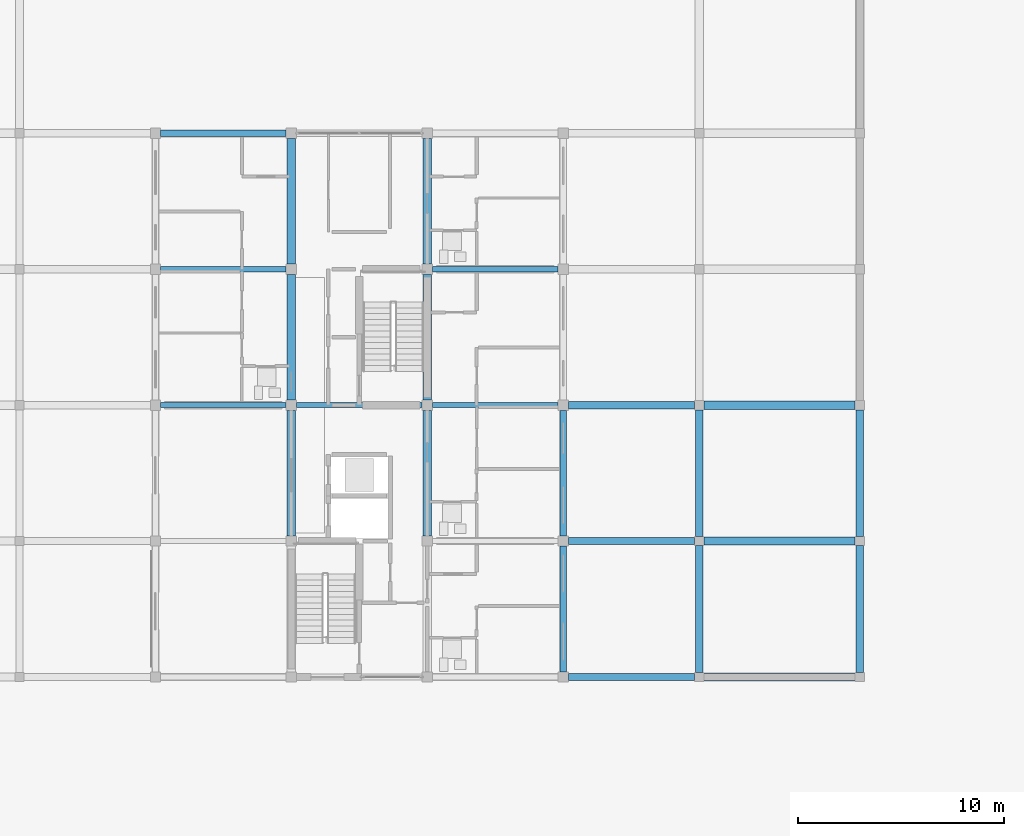
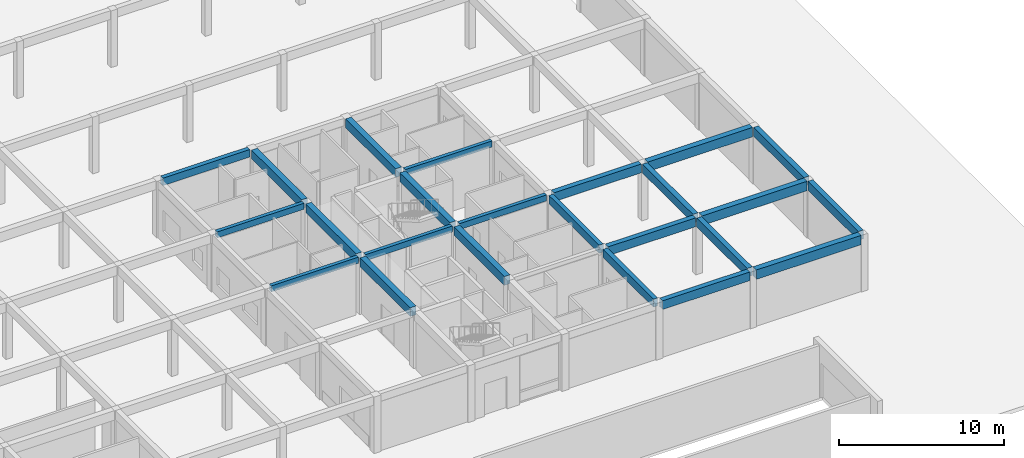
# One storey, part 39 of 75: 24 beams.
"""IFC4 building model written with IfcOpenShell, lengths in metres."""

import ifcopenshell
import ifcopenshell.guid

model = None  # the IFC model being written
_history = None  # IfcOwnerHistory: only IFC2X3 demands one
_inside = {}  # id of a spatial element -> (the spatial element, [elements in it])
_under = {}  # id of a project, library or spatial element -> (it, [spatial elements below it])
_declared = {}  # id of a project -> (the project, [libraries it declares])
_typed = {}  # id of a type object -> (the type object, [elements of that type])
_made_of = {}  # id of a material, layer set ... -> (it, [elements and type objects made of it])


def new_model(schema):
    """Start an empty IFC model of exactly this schema.

    Asked for "IFC4X3", IfcOpenShell would pick the latest addendum, in which some entities
    have other attributes; the version numbers below select the first issue.
    IFC2X3 requires an IfcOwnerHistory on every rooted entity: one is made here for all.
    """
    global model, _history
    if schema == "IFC4X3":
        model = ifcopenshell.file(schema_version=(4, 3, 0, 0))
    else:
        model = ifcopenshell.file(schema=schema)
    _inside.clear()
    _under.clear()
    _declared.clear()
    _typed.clear()
    _made_of.clear()
    _history = None
    if model.schema == "IFC2X3":
        org = make("IfcOrganization", Name="unknown")
        user = make(
            "IfcPersonAndOrganization",
            ThePerson=make("IfcPerson", FamilyName="unknown"),
            TheOrganization=org,
        )
        app = make(
            "IfcApplication",
            ApplicationDeveloper=org,
            Version="unknown",
            ApplicationFullName="unknown",
            ApplicationIdentifier="unknown",
        )
        _history = make(
            "IfcOwnerHistory",
            OwningUser=user,
            OwningApplication=app,
            ChangeAction="ADDED",
            CreationDate=0,
        )
    return model


def make(cls, **values):
    """One entity of the class cls with the attributes given. An attribute that is None is left unset."""
    return model.create_entity(
        cls, **{name: value for name, value in values.items() if value is not None}
    )


def rooted(cls, **values):
    """An entity with a GlobalId (a new one), such as an element, a storey or a relation."""
    return make(cls, GlobalId=ifcopenshell.guid.new(), OwnerHistory=_history, **values)


def si_unit(unit_type, name, prefix=None):
    """IfcSIUnit, for example si_unit("LENGTHUNIT", "METRE", prefix="MILLI")."""
    return make("IfcSIUnit", UnitType=unit_type, Prefix=prefix, Name=name)


def assignment(units):
    """IfcUnitAssignment: the units of a project."""
    return None if units is None else make("IfcUnitAssignment", Units=units)


def point(xyz):
    """IfcCartesianPoint."""
    return None if xyz is None else make("IfcCartesianPoint", Coordinates=xyz)


def direction(xyz):
    """IfcDirection."""
    return None if xyz is None else make("IfcDirection", DirectionRatios=xyz)


def frame(location, z_axis=None, x_axis=None):
    """IfcAxis2Placement3D, a coordinate frame: its origin and axes. An axis left out is left unset."""
    return make(
        "IfcAxis2Placement3D",
        Location=point(location),
        Axis=direction(z_axis),
        RefDirection=direction(x_axis),
    )


def frame_2d(location, x_axis=None):
    """IfcAxis2Placement2D, a coordinate frame in the plane: its origin and x axis."""
    return make(
        "IfcAxis2Placement2D", Location=point(location), RefDirection=direction(x_axis)
    )


def origin():
    """The frame at (0, 0, 0) with its axes left unset."""
    return frame((0.0, 0.0, 0.0))


def origin_2d():
    """The frame at (0, 0) in the plane with its x axis left unset."""
    return frame_2d((0.0, 0.0))


def place(relative_to, where):
    """IfcLocalPlacement: puts the frame where relative to a parent placement (None: the world)."""
    return make(
        "IfcLocalPlacement", PlacementRelTo=relative_to, RelativePlacement=where
    )


def context(
    kind, dimensions, precision=None, world=None, true_north=None, identifier=None
):
    """IfcGeometricRepresentationContext, for example the 3D "Model" context."""
    return make(
        "IfcGeometricRepresentationContext",
        ContextIdentifier=identifier,
        ContextType=kind,
        CoordinateSpaceDimension=dimensions,
        Precision=precision,
        WorldCoordinateSystem=world,
        TrueNorth=true_north,
    )


def subcontext(parent, identifier, kind, view, scale=None):
    """IfcGeometricRepresentationSubContext, for example "Body" below "Model"."""
    return make(
        "IfcGeometricRepresentationSubContext",
        ContextIdentifier=identifier,
        ContextType=kind,
        ParentContext=parent,
        TargetScale=scale,
        TargetView=view,
    )


def project(units=None, contexts=None):
    """IfcProject with its units and contexts."""
    return rooted(
        "IfcProject",
        Name="project",
        RepresentationContexts=contexts,
        UnitsInContext=assignment(units),
    )


def spatial(cls, under=None, at=None, **own):
    """A site, building, storey or space (cls), placed at a placement, below another one or the project."""
    s = rooted(cls, ObjectPlacement=at, **own)
    if under is not None:
        _under.setdefault(under.id(), (under, []))[1].append(s)
    return s


def profile(cls, at=None, kind="AREA", **sizes):
    """A parametric profile (cls). Its sizes go by their IFC names, for example OverallWidth=200.0."""
    return make(cls, ProfileType=kind, Position=at, **sizes)


def rectangle(**sizes):
    """IfcRectangleProfileDef."""
    return profile("IfcRectangleProfileDef", **sizes)


def extrude(swept, where, along, depth):
    """IfcExtrudedAreaSolid: the profile swept, set in the frame where, extruded along a direction by depth."""
    return make(
        "IfcExtrudedAreaSolid",
        SweptArea=swept,
        Position=where,
        ExtrudedDirection=direction(along),
        Depth=depth,
    )


def shape(context_of_items, identifier, shape_type, items):
    """IfcShapeRepresentation: the items that make up one representation, for example the "Body"."""
    return make(
        "IfcShapeRepresentation",
        ContextOfItems=context_of_items,
        RepresentationIdentifier=identifier,
        RepresentationType=shape_type,
        Items=items,
    )


def material(Name=None, Category=None):
    """IfcMaterial."""
    return make("IfcMaterial", Name=Name, Category=Category)


def material_profile(
    of_material, cross_section, Name=None, Category=None, Priority=None
):
    """IfcMaterialProfile: a cross section and its material."""
    return make(
        "IfcMaterialProfile",
        Name=Name,
        Material=of_material,
        Profile=cross_section,
        Priority=Priority,
        Category=Category,
    )


def profile_set(profiles, Name=None, composite=None):
    """IfcMaterialProfileSet."""
    return make(
        "IfcMaterialProfileSet",
        Name=Name,
        MaterialProfiles=profiles,
        CompositeProfile=composite,
    )


def made_of(thing, what):
    """Note that an element or type object is made of a material, layer set ...; save() writes the relation."""
    if what is not None:
        _made_of.setdefault(what.id(), (what, []))[1].append(thing)
    return thing


def type_object(cls, material=None, **own):
    """A type object (cls), such as IfcWallType, which elements share."""
    return made_of(rooted(cls, **own), material)


def element(
    cls,
    number,
    at=None,
    inside=None,
    cuts=None,
    type_object=None,
    material=None,
    context=None,
    identifier="Body",
    shape_type=None,
    held_by="IfcProductDefinitionShape",
    body=None,
    shapes=None,
    **own,
):
    """One element of the class cls, such as IfcWall. Its Tag is "e" and its number.

    at: its placement. inside: the storey or other place that contains it. cuts: it is an
    opening in that element (IfcRelVoidsElement). A single representation is given by context,
    identifier, shape_type and body (its items); several are given by shapes. held_by: the class
    of the entity that holds the representations. save() writes the other relations.
    """
    e = rooted(cls, Tag="e%d" % number, ObjectPlacement=at, **own)
    if body is not None:
        shapes = [shape(context, identifier, shape_type, body)]
    if shapes is not None:
        e.Representation = make(held_by, Representations=shapes)
    if inside is not None:
        _inside.setdefault(inside.id(), (inside, []))[1].append(e)
    if cuts is not None:
        rooted(
            "IfcRelVoidsElement", RelatingBuildingElement=cuts, RelatedOpeningElement=e
        )
    if type_object is not None:
        _typed.setdefault(type_object.id(), (type_object, []))[1].append(e)
    return made_of(e, material)


def aggregate(whole, parts):
    """IfcRelAggregates: a whole, such as a stair, and the parts it consists of."""
    return rooted("IfcRelAggregates", RelatingObject=whole, RelatedObjects=parts)


def save(model, path):
    """Write the relations noted so far, then the file.

    IfcRelAggregates (storeys below a building ...), IfcRelContainedInSpatialStructure (elements
    in a storey), IfcRelDefinesByType, IfcRelAssociatesMaterial and IfcRelDeclares: one each for
    every whole, place, type object, material and project.
    """
    for whole, parts in _under.values():
        aggregate(whole, parts)
    for where, things in _inside.values():
        rooted(
            "IfcRelContainedInSpatialStructure",
            RelatedElements=things,
            RelatingStructure=where,
        )
    for kind, things in _typed.values():
        rooted("IfcRelDefinesByType", RelatedObjects=things, RelatingType=kind)
    for what, things in _made_of.values():
        rooted("IfcRelAssociatesMaterial", RelatedObjects=things, RelatingMaterial=what)
    for by, libraries in _declared.values():
        rooted("IfcRelDeclares", RelatingContext=by, RelatedDefinitions=libraries)
    model.write(path)


model = new_model("IFC4")

# Units and contexts
model_context = context("Model", 3, precision=1e-05, world=origin(), true_north=direction((0.0, 1.0)))
body_context = subcontext(model_context, "Body", "Model", "MODEL_VIEW")
ifc_project = project(units=[si_unit("LENGTHUNIT", "METRE"), si_unit("AREAUNIT", "SQUARE_METRE"), si_unit("VOLUMEUNIT", "CUBIC_METRE"), si_unit("PLANEANGLEUNIT", "RADIAN"), si_unit("MASSUNIT", "GRAM", prefix="KILO")], contexts=[model_context])

# Site, building, storey
site_placement = place(None, origin())
site = spatial("IfcSite", under=ifc_project, at=site_placement, CompositionType="ELEMENT")
building_placement = place(site_placement, origin())
building = spatial("IfcBuilding", under=site, at=building_placement, Name="Kernevlak Ridge Housing Community", CompositionType="ELEMENT")
storey_placement = place(building_placement, origin())
storey = spatial("IfcBuildingStorey", under=building, at=storey_placement, Name="L00", CompositionType="ELEMENT", Elevation=0.0)

# Beams
ifc_material = material(Name="Concrete C35/45", Category="concrete")
ifc_material_profile_1 = material_profile(ifc_material, rectangle(XDim=0.39990234375, YDim=0.699951171875, at=origin_2d()), Name="RC 400x700")
ifc_profile_set_1 = profile_set([ifc_material_profile_1], Name="Concrete C35/45")
beam_type_1 = type_object("IfcBeamType", Name="B-01", PredefinedType="BEAM", material=ifc_profile_set_1)
for number, where, z_axis, x_axis, name in (
    (1, (152.625, 15.60009765625, 3.85009765625), (1.0, 0.0, 0.0), (0.0, 1.0, 0.0), "Beam B-01 L00 2065"),
    (2, (152.625, 22.199951171875, 3.85009765625), (1.0, 0.0, 0.0), (0.0, 1.0, 0.0), "Beam B-01 L00 2078"),
    (3, (152.625, 28.800048828125, 3.85009765625), (1.0, 0.0, 0.0), (0.0, 1.0, 0.0), "Beam B-01 L00 2091"),
):
    element("IfcBeam", number, at=place(storey_placement, frame(where, z_axis=z_axis, x_axis=x_axis)), inside=storey, type_object=beam_type_1, Name=name, PredefinedType="BEAM", context=body_context, shape_type="SweptSolid", body=[
        extrude(rectangle(XDim=0.39990234375, YDim=0.699951171875, at=origin_2d()), origin(), (0.0, 0.0, 1.0), 7.35009765625),
    ])
ifc_material_profile_2 = material_profile(ifc_material, rectangle(XDim=0.35009765625, YDim=0.64990234375, at=origin_2d()), Name="RC 350x650")
ifc_profile_set_2 = profile_set([ifc_material_profile_2], Name="Concrete C35/45")
beam_type_2 = type_object("IfcBeamType", Name="B-02", PredefinedType="BEAM", material=ifc_profile_set_2)
for number, where, z_axis, x_axis, name in (
    (4, (146.050048828125, 15.60009765625, 3.875), (1.0, 0.0, 0.0), (0.0, 1.0, 0.0), "Beam B-02 L00 2064"),
    (5, (146.050048828125, 22.199951171875, 3.875), (1.0, 0.0, 0.0), (0.0, 1.0, 0.0), "Beam B-02 L00 2077"),
    (6, (146.050048828125, 28.800048828125, 3.875), (1.0, 0.0, 0.0), (0.0, 1.0, 0.0), "Beam B-02 L00 2090"),
):
    element("IfcBeam", number, at=place(storey_placement, frame(where, z_axis=z_axis, x_axis=x_axis)), inside=storey, type_object=beam_type_2, Name=name, PredefinedType="BEAM", context=body_context, shape_type="SweptSolid", body=[
        extrude(rectangle(XDim=0.35009765625, YDim=0.64990234375, at=origin_2d()), origin(), (0.0, 0.0, 1.0), 6.125),
    ])
beam_1_placement = place(storey_placement, frame((152.39990234375, 15.824951171875, 3.875), z_axis=(0.0, 1.0, 0.0), x_axis=(-1.0, 0.0, 0.0)))
element("IfcBeam", 7, at=beam_1_placement, inside=storey, type_object=beam_type_2, Name="Beam B-02 L00 2379", PredefinedType="BEAM", context=body_context, shape_type="SweptSolid", body=[
    extrude(rectangle(XDim=0.35009765625, YDim=0.64990234375, at=origin_2d()), origin(), (0.0, 0.0, 1.0), 6.150146484375),
])
beam_2_placement = place(storey_placement, frame((152.39990234375, 22.425048828125, 3.875), z_axis=(0.0, 1.0, 0.0), x_axis=(-1.0, 0.0, 0.0)))
element("IfcBeam", 8, at=beam_2_placement, inside=storey, type_object=beam_type_2, Name="Beam B-02 L00 2380", PredefinedType="BEAM", context=body_context, shape_type="SweptSolid", body=[
    extrude(rectangle(XDim=0.35009765625, YDim=0.64990234375, at=origin_2d()), origin(), (0.0, 0.0, 1.0), 6.14990234375),
])
beam_3_placement = place(storey_placement, frame((160.199951171875, 15.824951171875, 3.875), z_axis=(0.0, 1.0, 0.0), x_axis=(-1.0, 0.0, 0.0)))
element("IfcBeam", 9, at=beam_3_placement, inside=storey, type_object=beam_type_2, Name="Beam B-02 L00 2389", PredefinedType="BEAM", context=body_context, shape_type="SweptSolid", body=[
    extrude(rectangle(XDim=0.35009765625, YDim=0.64990234375, at=origin_2d()), origin(), (0.0, 0.0, 1.0), 6.150146484375),
])
beam_4_placement = place(storey_placement, frame((160.199951171875, 22.425048828125, 3.875), z_axis=(0.0, 1.0, 0.0), x_axis=(-1.0, 0.0, 0.0)))
element("IfcBeam", 10, at=beam_4_placement, inside=storey, type_object=beam_type_2, Name="Beam B-02 L00 2390", PredefinedType="BEAM", context=body_context, shape_type="SweptSolid", body=[
    extrude(rectangle(XDim=0.35009765625, YDim=0.64990234375, at=origin_2d()), origin(), (0.0, 0.0, 1.0), 6.14990234375),
])
ifc_material_profile_3 = material_profile(ifc_material, rectangle(XDim=0.39990234375, YDim=0.64990234375, at=origin_2d()), Name="RC 400x650")
ifc_profile_set_3 = profile_set([ifc_material_profile_3], Name="Concrete C35/45")
beam_type_3 = type_object("IfcBeamType", Name="B-03", PredefinedType="T_BEAM", material=ifc_profile_set_3)
beam_5_placement = place(storey_placement, frame((132.60009765625, 22.449951171875, 3.875), z_axis=(0.0, 1.0, 0.0), x_axis=(-1.0, 0.0, 0.0)))
element("IfcBeam", 11, at=beam_5_placement, inside=storey, type_object=beam_type_3, Name="Beam B-03 L00 993", PredefinedType="T_BEAM", context=body_context, shape_type="SweptSolid", body=[
    extrude(rectangle(XDim=0.39990234375, YDim=0.64990234375, at=origin_2d()), origin(), (0.0, 0.0, 1.0), 6.10009765625),
])
beam_6_placement = place(storey_placement, frame((132.60009765625, 29.050048828125, 3.875), z_axis=(0.0, 1.0, 0.0), x_axis=(-1.0, 0.0, 0.0)))
element("IfcBeam", 12, at=beam_6_placement, inside=storey, type_object=beam_type_3, Name="Beam B-03 L00 994", PredefinedType="T_BEAM", context=body_context, shape_type="SweptSolid", body=[
    extrude(rectangle(XDim=0.39990234375, YDim=0.64990234375, at=origin_2d()), origin(), (0.0, 0.0, 1.0), 6.099853515625),
])
for number, where, z_axis, x_axis, name in (
    (13, (132.60009765625, 35.64990234375, 3.875), (0.0, 1.0, 0.0), (-1.0, 0.0, 0.0), "Beam B-03 L00 995"),
    (14, (139.199951171875, 22.449951171875, 3.875), (0.0, 1.0, 0.0), (-1.0, 0.0, 0.0), "Beam B-03 L00 997"),
):
    element("IfcBeam", number, at=place(storey_placement, frame(where, z_axis=z_axis, x_axis=x_axis)), inside=storey, type_object=beam_type_3, Name=name, PredefinedType="T_BEAM", context=body_context, shape_type="SweptSolid", body=[
        extrude(rectangle(XDim=0.39990234375, YDim=0.64990234375, at=origin_2d()), origin(), (0.0, 0.0, 1.0), 6.10009765625),
    ])
beam_7_placement = place(storey_placement, frame((139.199951171875, 29.050048828125, 3.875), z_axis=(0.0, 1.0, 0.0), x_axis=(-1.0, 0.0, 0.0)))
element("IfcBeam", 15, at=beam_7_placement, inside=storey, type_object=beam_type_3, Name="Beam B-03 L00 998", PredefinedType="T_BEAM", context=body_context, shape_type="SweptSolid", body=[
    extrude(rectangle(XDim=0.39990234375, YDim=0.64990234375, at=origin_2d()), origin(), (0.0, 0.0, 1.0), 6.099853515625),
])
beam_8_placement = place(storey_placement, frame((139.199951171875, 35.64990234375, 3.875), z_axis=(0.0, 1.0, 0.0), x_axis=(-1.0, 0.0, 0.0)))
element("IfcBeam", 16, at=beam_8_placement, inside=storey, type_object=beam_type_3, Name="Beam B-03 L00 999", PredefinedType="T_BEAM", context=body_context, shape_type="SweptSolid", body=[
    extrude(rectangle(XDim=0.39990234375, YDim=0.64990234375, at=origin_2d()), origin(), (0.0, 0.0, 1.0), 6.10009765625),
])
ifc_material_profile_4 = material_profile(ifc_material, rectangle(XDim=0.25, YDim=0.449951171875, at=origin_2d()), Name="RC 250x450")
ifc_profile_set_4 = profile_set([ifc_material_profile_4], Name="Concrete C35/45")
beam_type_4 = type_object("IfcBeamType", Name="B-04", PredefinedType="T_BEAM", material=ifc_profile_set_4)
beam_9_placement = place(storey_placement, frame((126.25, 28.800048828125, 3.97509765625), z_axis=(1.0, 0.0, 0.0), x_axis=(0.0, 1.0, 0.0)))
element("IfcBeam", 17, at=beam_9_placement, inside=storey, type_object=beam_type_4, Name="Beam B-04 L00 1009", PredefinedType="T_BEAM", context=body_context, shape_type="SweptSolid", body=[
    extrude(rectangle(XDim=0.25, YDim=0.449951171875, at=origin_2d()), origin(), (0.0, 0.0, 1.0), 6.10009765625),
])
beam_10_placement = place(storey_placement, frame((132.85009765625, 28.800048828125, 3.97509765625), z_axis=(1.0, 0.0, 0.0), x_axis=(0.0, 1.0, 0.0)))
element("IfcBeam", 18, at=beam_10_placement, inside=storey, type_object=beam_type_4, Name="Beam B-04 L00 1010", PredefinedType="T_BEAM", context=body_context, shape_type="SweptSolid", body=[
    extrude(rectangle(XDim=0.25, YDim=0.449951171875, at=origin_2d()), origin(), (0.0, 0.0, 1.0), 6.099853515625),
])
for number, where, z_axis, x_axis, name in (
    (19, (139.449951171875, 28.800048828125, 3.97509765625), (1.0, 0.0, 0.0), (0.0, 1.0, 0.0), "Beam B-04 L00 1011"),
    (20, (126.25, 35.39990234375, 3.97509765625), (1.0, 0.0, 0.0), (0.0, 1.0, 0.0), "Beam B-04 L00 1012"),
    (21, (139.449951171875, 35.39990234375, 3.97509765625), (1.0, 0.0, 0.0), (0.0, 1.0, 0.0), "Beam B-04 L00 1013"),
):
    element("IfcBeam", number, at=place(storey_placement, frame(where, z_axis=z_axis, x_axis=x_axis)), inside=storey, type_object=beam_type_4, Name=name, PredefinedType="T_BEAM", context=body_context, shape_type="SweptSolid", body=[
        extrude(rectangle(XDim=0.25, YDim=0.449951171875, at=origin_2d()), origin(), (0.0, 0.0, 1.0), 6.10009765625),
    ])
ifc_material_profile_5 = material_profile(ifc_material, rectangle(XDim=0.300048828125, YDim=0.550048828125, at=origin_2d()), Name="RC 300x550")
ifc_profile_set_5 = profile_set([ifc_material_profile_5], Name="Concrete C35/45")
beam_type_5 = type_object("IfcBeamType", Name="SP-01", PredefinedType="SPANDREL", material=ifc_profile_set_5)
beam_11_placement = place(storey_placement, frame((126.25, 42.0, 3.925048828125), z_axis=(1.0, 0.0, 0.0), x_axis=(0.0, 1.0, 0.0)))
element("IfcBeam", 22, at=beam_11_placement, inside=storey, type_object=beam_type_5, Name="Beam SP-01 L00 1014", PredefinedType="SPANDREL", context=body_context, shape_type="SweptSolid", body=[
    extrude(rectangle(XDim=0.300048828125, YDim=0.550048828125, at=origin_2d()), origin(), (0.0, 0.0, 1.0), 6.10009765625),
])
ifc_material_profile_6 = material_profile(ifc_material, rectangle(XDim=0.300048828125, YDim=0.60009765625, at=origin_2d()), Name="RC 300x600")
ifc_profile_set_6 = profile_set([ifc_material_profile_6], Name="Concrete C35/45")
beam_type_6 = type_object("IfcBeamType", Name="SP-02", PredefinedType="SPANDREL", material=ifc_profile_set_6)
beam_12_placement = place(storey_placement, frame((145.800048828125, 15.85009765625, 3.89990234375), z_axis=(0.0, 1.0, 0.0), x_axis=(-1.0, 0.0, 0.0)))
element("IfcBeam", 23, at=beam_12_placement, inside=storey, type_object=beam_type_6, Name="Beam SP-02 L00 1000", PredefinedType="SPANDREL", context=body_context, shape_type="SweptSolid", body=[
    extrude(rectangle(XDim=0.300048828125, YDim=0.60009765625, at=origin_2d()), origin(), (0.0, 0.0, 1.0), 6.099853515625),
])
beam_13_placement = place(storey_placement, frame((145.800048828125, 22.449951171875, 3.89990234375), z_axis=(0.0, 1.0, 0.0), x_axis=(-1.0, 0.0, 0.0)))
element("IfcBeam", 24, at=beam_13_placement, inside=storey, type_object=beam_type_6, Name="Beam SP-02 L00 1001", PredefinedType="SPANDREL", context=body_context, shape_type="SweptSolid", body=[
    extrude(rectangle(XDim=0.300048828125, YDim=0.60009765625, at=origin_2d()), origin(), (0.0, 0.0, 1.0), 6.10009765625),
])

save(model, "model.ifc")
